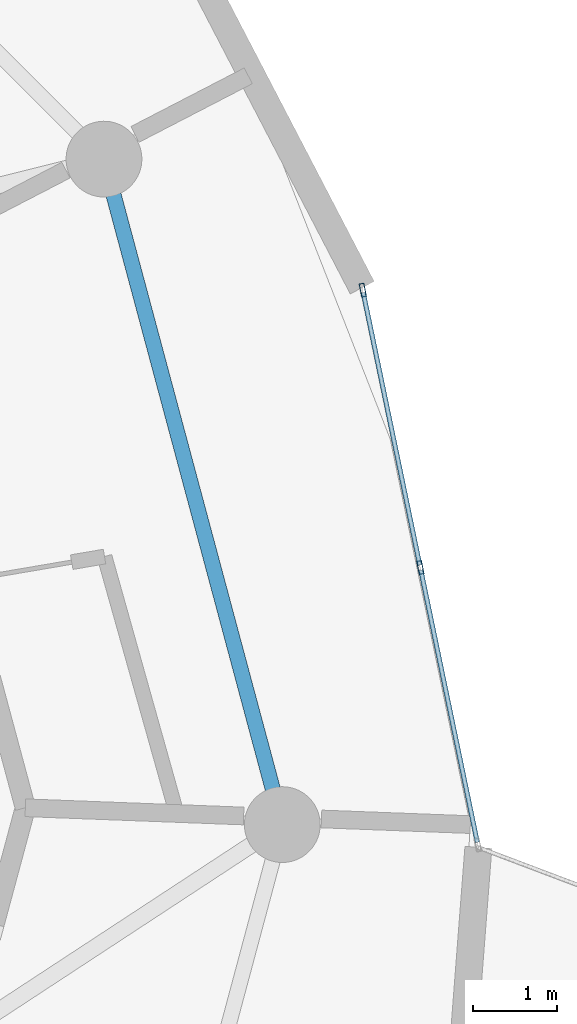
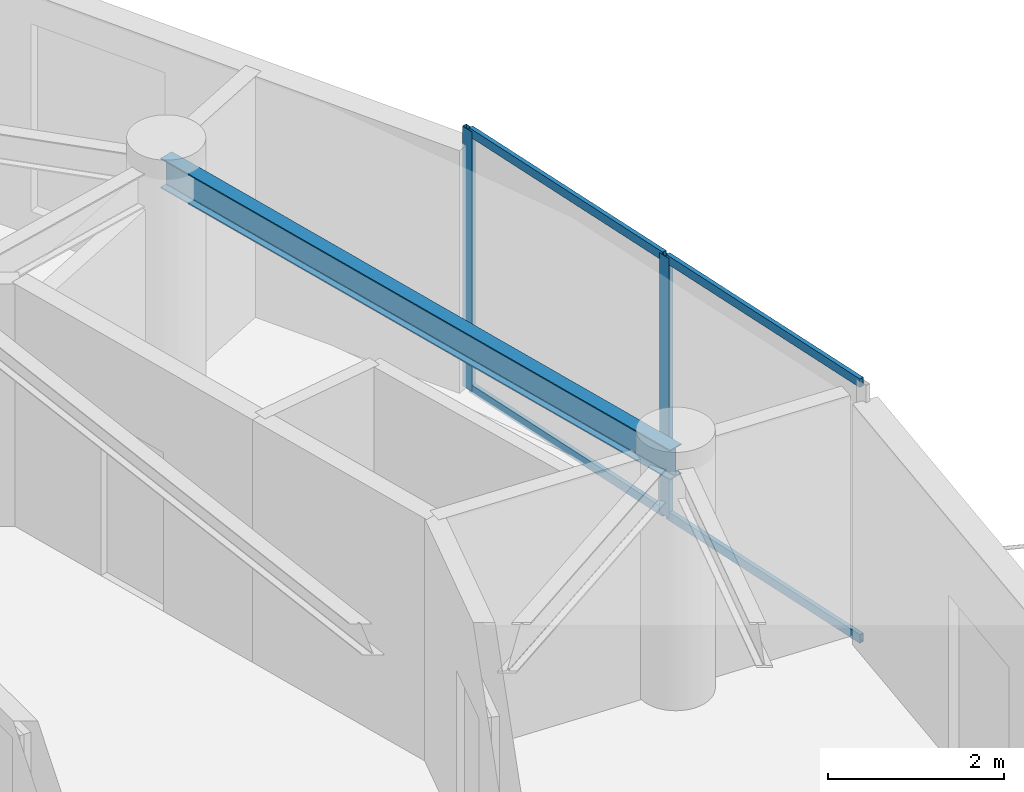
# One storey, part 12 of 21: 6 members, 1 beam, 1 element without a shape of its own.
"""IFC4 building model written with IfcOpenShell, lengths in metres."""

from ifc_helpers import new_model, si_unit, direction, frame, origin, origin_2d, place, context, subcontext, project, spatial, hollow_rectangle, i_section, extrude, source, transform, mapped, material, layer, layer_set, material_profile, profile_set, type_object, element, aggregate, save


model = new_model("IFC4")

# Units and contexts
model_context = context("Model", 3, precision=1e-05, world=origin(), true_north=direction((0.0, 1.0)))
body_context = subcontext(model_context, "Body", "Model", "MODEL_VIEW")
ifc_project = project(units=[si_unit("LENGTHUNIT", "METRE"), si_unit("AREAUNIT", "SQUARE_METRE"), si_unit("VOLUMEUNIT", "CUBIC_METRE"), si_unit("PLANEANGLEUNIT", "RADIAN"), si_unit("MASSUNIT", "GRAM", prefix="KILO")], contexts=[model_context])

# Site, building, storey
site_placement = place(None, origin())
site = spatial("IfcSite", under=ifc_project, at=site_placement, CompositionType="ELEMENT")
building_placement = place(site_placement, origin())
building = spatial("IfcBuilding", under=site, at=building_placement, Name="Solvirekh Grand Hotel", CompositionType="ELEMENT")
storey_placement = place(building_placement, frame((0.0, 0.0, 220.0)))
storey = spatial("IfcBuildingStorey", under=building, at=storey_placement, Name="L57", CompositionType="ELEMENT", Elevation=220.0)

# Beam
ifc_material_1 = material(Name="Steel S355", Category="steel")
ifc_material_profile_1 = material_profile(ifc_material_1, i_section(OverallWidth=0.180908203125, OverallDepth=0.4169921875, WebThickness=0.010009765625, FlangeThickness=0.01611328125, FilletRadius=0.011962890625, at=origin_2d()), Name="W410X85")
ifc_profile_set_1 = profile_set([ifc_material_profile_1], Name="Steel S355")
beam_type = type_object("IfcBeamType", Name="Spandrel_Ring_W410", PredefinedType="SPANDREL", material=ifc_profile_set_1)
beam_placement = place(storey_placement, frame((15.800048828125, 0.0, 3.152099609375), z_axis=(-0.258838541915, 0.965920601923, 0.0), x_axis=(-0.965920601923, -0.258838541915, 0.0)))
element("IfcBeam", 1, at=beam_placement, inside=storey, type_object=beam_type, Name="L57 perimeter spandrel beam 1", PredefinedType="SPANDREL", context=body_context, shape_type="SweptSolid", body=[
    extrude(i_section(OverallWidth=0.180908203125, OverallDepth=0.4169921875, WebThickness=0.010009765625, FlangeThickness=0.01611328125, FilletRadius=0.011962890625, at=origin_2d()), origin(), (0.0, 0.0, 1.0), 8.1787109375),
])

# Curtain wall, members
ifc_material_2 = material(Name="Anodized Bronze Aluminium 6063-T6", Category="aluminium")
ifc_layer = layer(ifc_material_2, 0.159912109375)
ifc_layer_set = layer_set([ifc_layer], Name="Anodized Bronze Aluminium 6063-T6")
curtain_wall_type = type_object("IfcCurtainWallType", Name="CW_Sys4_HighZoneFlushBronzeCW", PredefinedType="NOTDEFINED", material=ifc_layer_set)
curtain_wall_placement = place(storey_placement, origin())
curtain_wall = element("IfcCurtainWall", 2, at=curtain_wall_placement, inside=storey, type_object=curtain_wall_type, Name="L57 unitised bronze-glass curtain wall CW-L57-C05", PredefinedType="NOTDEFINED")
ifc_material_profile_2 = material_profile(ifc_material_2, hollow_rectangle(XDim=0.06005859375, YDim=0.159912109375, WallThickness=0.0048828125, at=origin_2d()), Name="ALU RHS 160X60X5")
ifc_profile_set_2 = profile_set([ifc_material_profile_2], Name="Anodized Bronze Aluminium 6063-T6")
member_type_1 = type_object("IfcMemberType", Name="CWMullion_Sys4", PredefinedType="MULLION", material=ifc_profile_set_2)
shared_shape_1 = source(origin(), body_context, "Body", "SweptSolid", [
    extrude(hollow_rectangle(XDim=0.06005859375, YDim=0.159912109375, WallThickness=0.0048828125, at=origin_2d()), origin(), (0.0, 0.0, 1.0), 3.60009765625),
])
member_1_placement = place(storey_placement, frame((17.4384765625, 3.052001953125, 0.0), z_axis=(0.0, 0.0, 1.0), x_axis=(-0.979132177626, -0.203224454082, 0.0)))
member_1 = element("IfcMember", 3, at=member_1_placement, type_object=member_type_1, Name="U04 mullion 2", PredefinedType="MULLION", context=body_context, shape_type="MappedRepresentation", body=[
    mapped(shared_shape_1, transform((0.0, 0.0, 0.0), x_axis=(1.0, 0.0, 0.0), y_axis=(0.0, 1.0, 0.0), z_axis=(0.0, 0.0, 1.0), scale=1.0)),
])
member_2_placement = place(storey_placement, frame((16.755126953125, 6.3447265625, 0.0), z_axis=(0.0, 0.0, 1.0), x_axis=(-0.979132177626, -0.203224454082, 0.0)))
member_2 = element("IfcMember", 4, at=member_2_placement, type_object=member_type_1, Name="U04 mullion 3", PredefinedType="MULLION", context=body_context, shape_type="MappedRepresentation", body=[
    mapped(shared_shape_1, transform((0.0, 0.0, 0.0), x_axis=(1.0, 0.0, 0.0), y_axis=(0.0, 1.0, 0.0), z_axis=(0.0, 0.0, 1.0), scale=1.0)),
])
ifc_material_profile_3 = material_profile(ifc_material_2, hollow_rectangle(XDim=0.054931640625, YDim=0.1201171875, WallThickness=0.00390625, at=origin_2d()), Name="ALU RHS 120X55X4")
ifc_profile_set_3 = profile_set([ifc_material_profile_3], Name="Anodized Bronze Aluminium 6063-T6")
member_type_2 = type_object("IfcMemberType", Name="CWTransom_Sys4", PredefinedType="USERDEFINED", material=ifc_profile_set_3)
shared_shape_2 = source(origin(), body_context, "Body", "SweptSolid", [
    extrude(hollow_rectangle(XDim=0.054931640625, YDim=0.1201171875, WallThickness=0.00390625, at=origin_2d()), origin(), (0.0, 0.0, 1.0), 3.302734375),
])
member_3_placement = place(storey_placement, frame((18.11572265625, -0.211181640625, 0.027587890625), z_axis=(-0.20320442284, 0.979136335011, 0.0), x_axis=(-0.979136335011, -0.20320442284, 0.0)))
member_3 = element("IfcMember", 5, at=member_3_placement, type_object=member_type_2, Name="U04 transom 1.1", ObjectType="TRANSOM", PredefinedType="USERDEFINED", context=body_context, shape_type="MappedRepresentation", body=[
    mapped(shared_shape_2, transform((0.0, 0.0, 0.0), x_axis=(1.0, 0.0, 0.0), y_axis=(0.0, 1.0, 0.0), z_axis=(0.0, 0.0, 1.0), scale=1.0)),
])
member_4_placement = place(storey_placement, frame((18.11572265625, -0.211181640625, 3.572509765625), z_axis=(-0.20320442284, 0.979136335011, 0.0), x_axis=(-0.979136335011, -0.20320442284, 0.0)))
member_4 = element("IfcMember", 6, at=member_4_placement, type_object=member_type_2, Name="U04 transom 1.2", ObjectType="TRANSOM", PredefinedType="USERDEFINED", context=body_context, shape_type="MappedRepresentation", body=[
    mapped(shared_shape_2, transform((0.0, 0.0, 0.0), x_axis=(1.0, 0.0, 0.0), y_axis=(0.0, 1.0, 0.0), z_axis=(0.0, 0.0, 1.0), scale=1.0)),
])
member_5_placement = place(storey_placement, frame((17.432373046875, 3.081298828125, 0.027587890625), z_axis=(-0.20320442284, 0.979136335011, 0.0), x_axis=(-0.979136335011, -0.20320442284, 0.0)))
member_5 = element("IfcMember", 7, at=member_5_placement, type_object=member_type_2, Name="U04 transom 2.1", ObjectType="TRANSOM", PredefinedType="USERDEFINED", context=body_context, shape_type="MappedRepresentation", body=[
    mapped(shared_shape_2, transform((0.0, 0.0, 0.0), x_axis=(1.0, 0.0, 0.0), y_axis=(0.0, 1.0, 0.0), z_axis=(0.0, 0.0, 1.0), scale=1.0)),
])
member_6_placement = place(storey_placement, frame((17.432373046875, 3.081298828125, 3.572509765625), z_axis=(-0.20320442284, 0.979136335011, 0.0), x_axis=(-0.979136335011, -0.20320442284, 0.0)))
member_6 = element("IfcMember", 8, at=member_6_placement, type_object=member_type_2, Name="U04 transom 2.2", ObjectType="TRANSOM", PredefinedType="USERDEFINED", context=body_context, shape_type="MappedRepresentation", body=[
    mapped(shared_shape_2, transform((0.0, 0.0, 0.0), x_axis=(1.0, 0.0, 0.0), y_axis=(0.0, 1.0, 0.0), z_axis=(0.0, 0.0, 1.0), scale=1.0)),
])
aggregate(curtain_wall, [member_1, member_2, member_3, member_4, member_5, member_6])

save(model, "model.ifc")
